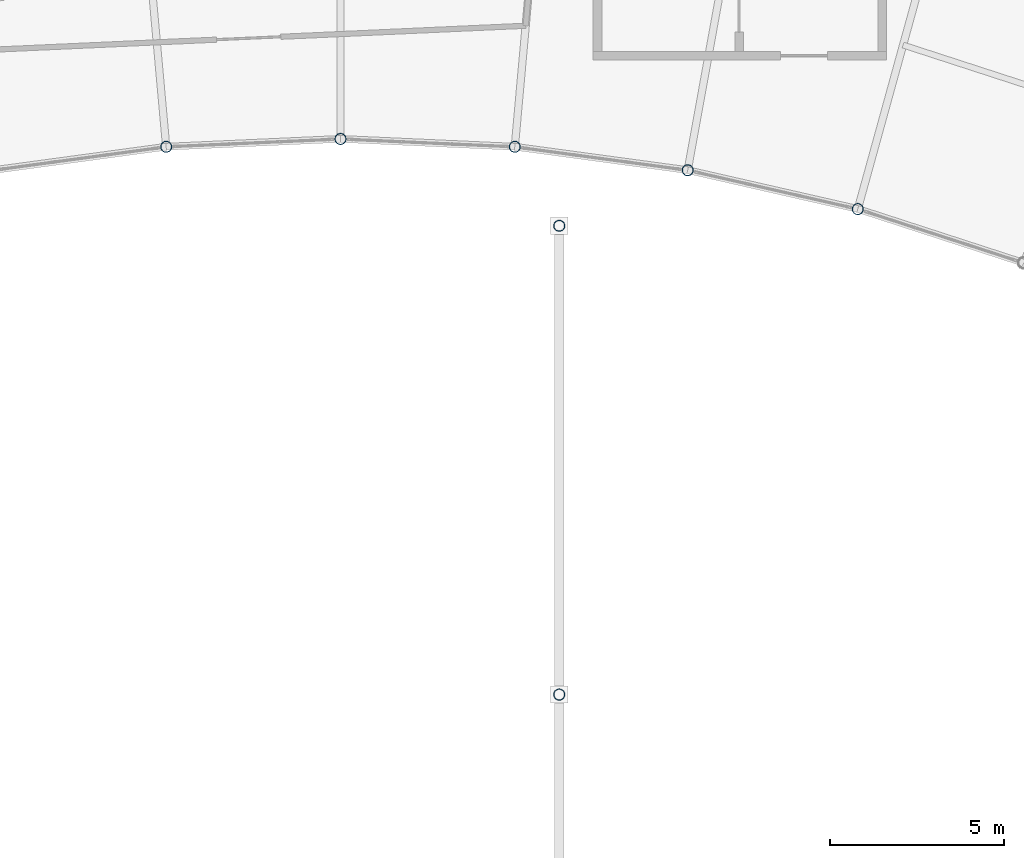
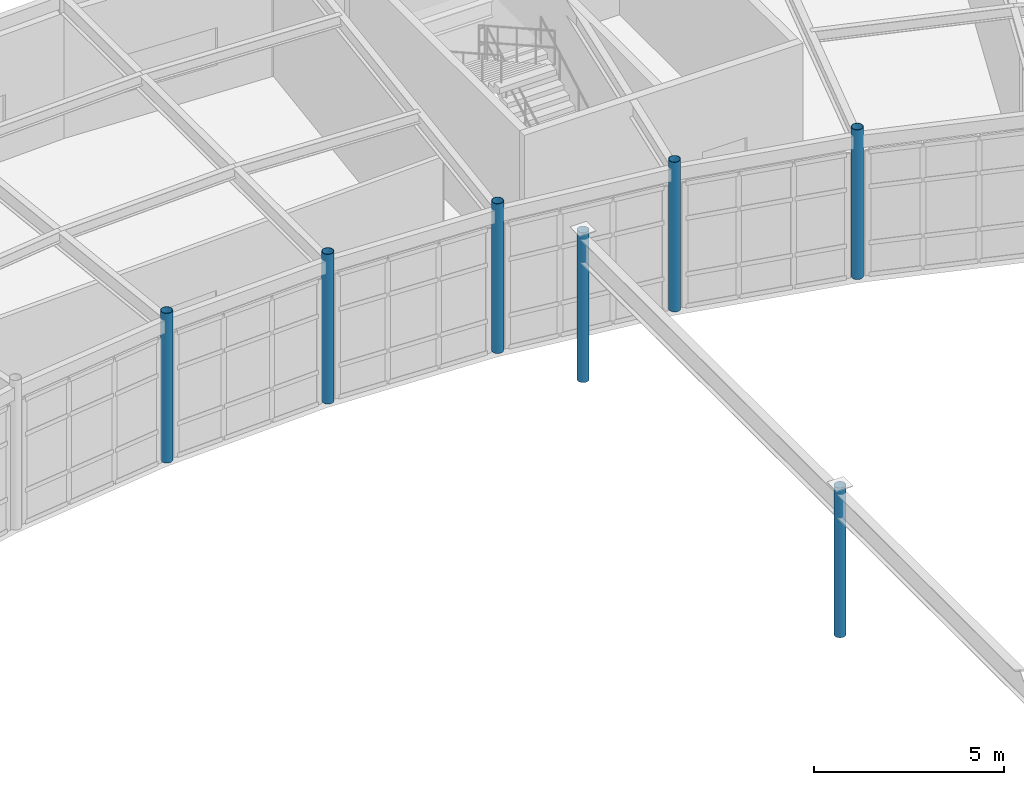
# One storey, part 13 of 116: 7 columns.
"""IFC4 building model written with IfcOpenShell, lengths in metres."""

from ifc_helpers import new_model, si_unit, direction, frame, origin, origin_2d, place, context, subcontext, project, spatial, hollow_circle, extrude, material, material_profile, profile_set, type_object, element, save


model = new_model("IFC4")

# Units and contexts
model_context = context("Model", 3, precision=1e-05, world=origin(), true_north=direction((0.0, 1.0)))
body_context = subcontext(model_context, "Body", "Model", "MODEL_VIEW")
ifc_project = project(units=[si_unit("LENGTHUNIT", "METRE"), si_unit("AREAUNIT", "SQUARE_METRE"), si_unit("VOLUMEUNIT", "CUBIC_METRE"), si_unit("PLANEANGLEUNIT", "RADIAN"), si_unit("MASSUNIT", "GRAM", prefix="KILO")], contexts=[model_context])

# Site, building, storey
site_placement = place(None, origin())
site = spatial("IfcSite", under=ifc_project, at=site_placement, CompositionType="ELEMENT")
building_placement = place(site_placement, origin())
building = spatial("IfcBuilding", under=site, at=building_placement, Name="Selat Folded Stagehouse", CompositionType="ELEMENT")
storey_placement = place(building_placement, frame((0.0, 0.0, 5.39990234375)))
storey = spatial("IfcBuildingStorey", under=building, at=storey_placement, Name="L01", CompositionType="ELEMENT", Elevation=5.39990234375)

# Columns
ifc_material = material(Name="Steel S355", Category="steel")
ifc_material_profile = material_profile(ifc_material, hollow_circle(Radius=0.161865234375, WallThickness=0.012451171875, at=origin_2d()), Name="CHS 323.9x12.5")
ifc_profile_set = profile_set([ifc_material_profile], Name="Steel S355")
column_type = type_object("IfcColumnType", Name="COL-CHS-323x12.5", PredefinedType="COLUMN", material=ifc_profile_set)
for number, where, z_axis, x_axis, name in (
    (1, (87.380126953125, 93.774658203125, 0.0), (0.0, 0.0, 1.0), (1.0, 0.0, 0.0), "L01 column STK-V6IN-06"),
    (2, (92.39990234375, 94.0, 0.0), (0.0, 0.0, 1.0), (1.0, 0.0, 0.0), "L01 column STK-V6IN-07"),
    (3, (97.419921875, 93.774658203125, 0.0), (0.0, 0.0, 1.0), (1.0, 0.0, 0.0), "L01 column STK-V6IN-08"),
    (4, (102.399169921875, 93.10009765625, 0.0), (0.0, 0.0, 1.0), (1.0, 0.0, 0.0), "L01 column STK-V6IN-09"),
    (5, (107.298095703125, 91.98193359375, 0.0), (0.0, 0.0, 1.0), (1.0, 0.0, 0.0), "L01 column STK-V6IN-10"),
    (6, (98.699951171875, 78.0, 0.0), (0.0, 0.0, 1.0), (1.0, 0.0, 0.0), "L01 column STK-BR2-780"),
    (7, (98.699951171875, 91.5, 0.0), (0.0, 0.0, 1.0), (1.0, 0.0, 0.0), "L01 column STK-BR2-915"),
):
    element("IfcColumn", number, at=place(storey_placement, frame(where, z_axis=z_axis, x_axis=x_axis)), inside=storey, type_object=column_type, Name=name, PredefinedType="COLUMN", context=body_context, shape_type="SweptSolid", body=[
        extrude(hollow_circle(Radius=0.161865234375, WallThickness=0.012451171875, at=origin_2d()), origin(), (0.0, 0.0, 1.0), 4.800048828125),
    ])

save(model, "model.ifc")
